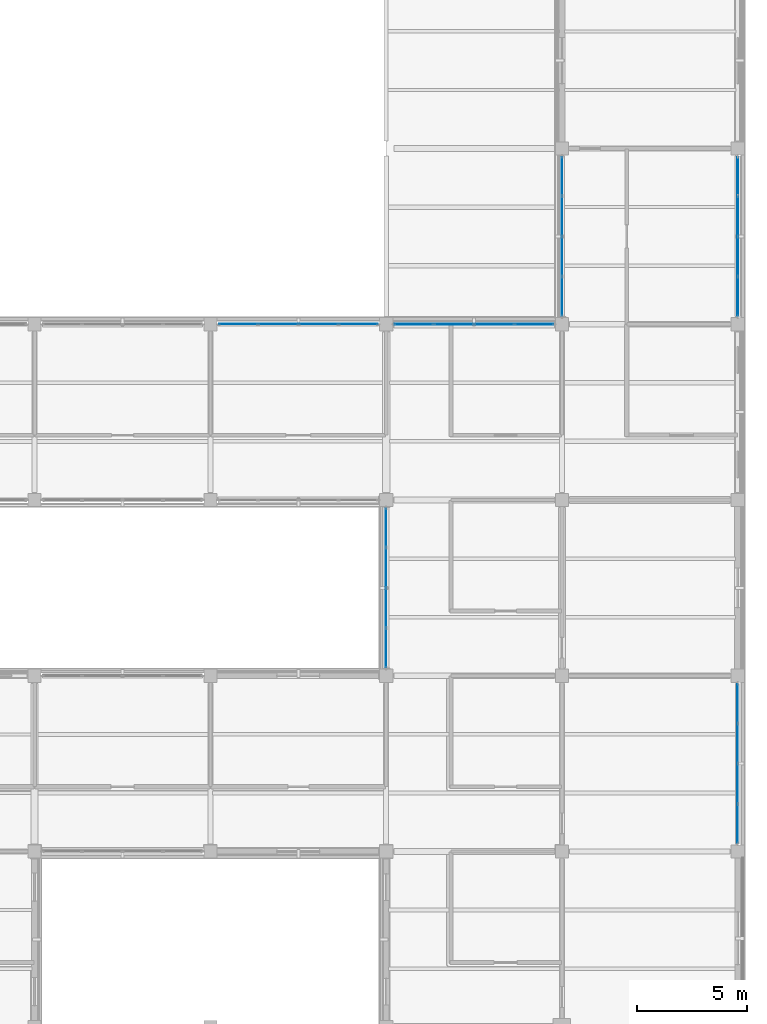
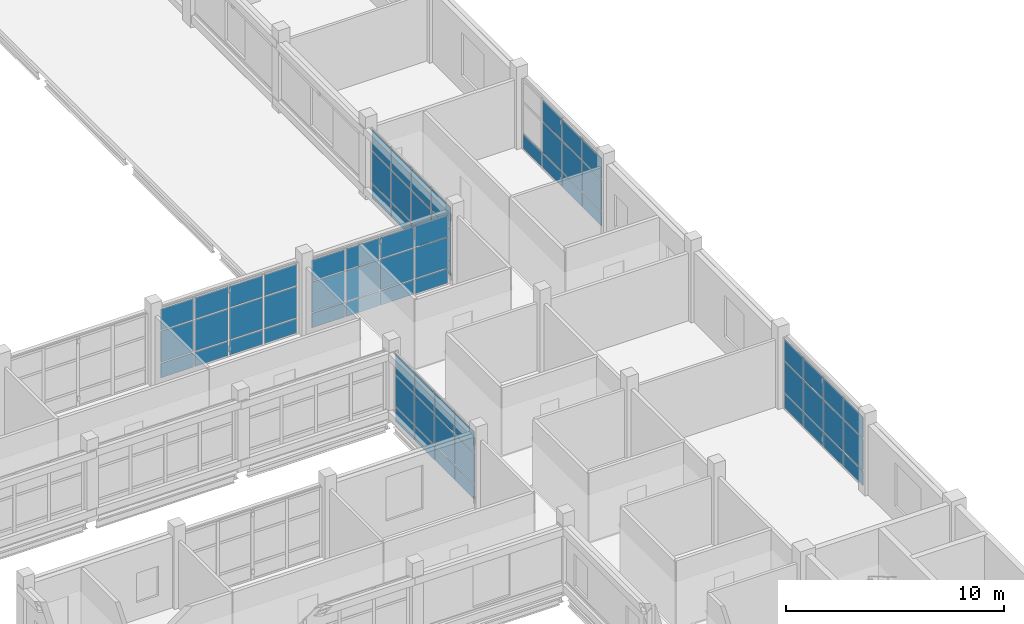
# One storey, part 71 of 121: 70 plates, 6 elements without a shape of their own.
"""IFC4 building model written with IfcOpenShell, lengths in metres."""

from ifc_helpers import new_model, si_unit, derived_unit, direction, frame, origin, origin_2d, place, context, subcontext, project, spatial, rectangle, extrude, material, layer, layer_set, type_object, element, aggregate, save


model = new_model("IFC4")

# Units and contexts
model_context = context("Model", 3, precision=1e-05, world=origin(), true_north=direction((0.0, 1.0)))
body_context = subcontext(model_context, "Body", "Model", "MODEL_VIEW")
ifc_project = project(units=[si_unit("LENGTHUNIT", "METRE"), si_unit("AREAUNIT", "SQUARE_METRE"), si_unit("VOLUMEUNIT", "CUBIC_METRE"), si_unit("PLANEANGLEUNIT", "RADIAN"), si_unit("MASSUNIT", "GRAM", prefix="KILO"), derived_unit("THERMALTRANSMITTANCEUNIT", [(si_unit("MASSUNIT", "GRAM", prefix="KILO"), 1), (si_unit("TIMEUNIT", "SECOND"), -3), (si_unit("THERMODYNAMICTEMPERATUREUNIT", "KELVIN"), -1)])], contexts=[model_context])

# Site, building, storey
site_placement = place(None, origin())
site = spatial("IfcSite", under=ifc_project, at=site_placement, CompositionType="ELEMENT")
building_placement = place(site_placement, origin())
building = spatial("IfcBuilding", under=site, at=building_placement, Name="Veyamyaing Civic Hall", CompositionType="ELEMENT")
storey_placement = place(building_placement, frame((0.0, 0.0, 5.280029296875)))
storey = spatial("IfcBuildingStorey", under=building, at=storey_placement, Name="L01", CompositionType="ELEMENT", Elevation=5.280029296875)

# Curtain wall, plates
ifc_material_1 = material(Name="Anodised aluminium 6063-T6", Category="aluminium")
ifc_layer_1 = layer(ifc_material_1, 0.159912109375, Name="Anodised aluminium 6063-T6")
ifc_layer_set_1 = layer_set([ifc_layer_1], Name="Anodised aluminium 6063-T6")
curtain_wall_type = type_object("IfcCurtainWallType", Name="CW-02", PredefinedType="NOTDEFINED", material=ifc_layer_set_1)
curtain_wall_1_placement = place(storey_placement, origin())
curtain_wall_1 = element("IfcCurtainWall", 1, at=curtain_wall_1_placement, inside=storey, type_object=curtain_wall_type, Name="Unitized curtain wall CW-02 L01 W 22.8", PredefinedType="NOTDEFINED")
ifc_material_2 = material(Name="Low-E insulated glass", Category="glass")
ifc_layer_2 = layer(ifc_material_2, 0.028076171875, Name="Low-E insulated glass")
ifc_layer_set_2 = layer_set([ifc_layer_2], Name="Low-E insulated glass")
plate_type_1 = type_object("IfcPlateType", Name="CWP-01", PredefinedType="CURTAIN_PANEL", material=ifc_layer_set_2)
plate_1_placement = place(storey_placement, frame((168.0, 57.263671875, 0.06494140625), z_axis=(0.0, 0.0, 1.0), x_axis=(0.0, 1.0, 0.0)))
plate_1 = element("IfcPlate", 2, at=plate_1_placement, type_object=plate_type_1, Name="CW-02 panel 1.1", PredefinedType="CURTAIN_PANEL", context=body_context, shape_type="SweptSolid", body=[
    extrude(rectangle(XDim=1.737548828125, YDim=0.028076171875, at=origin_2d()), origin(), (0.0, 0.0, 1.0), 0.802490234375),
])
plate_2_placement = place(storey_placement, frame((168.0, 57.263671875, 0.932373046875), z_axis=(0.0, 0.0, 1.0), x_axis=(0.0, 1.0, 0.0)))
plate_2 = element("IfcPlate", 3, at=plate_2_placement, type_object=plate_type_1, Name="CW-02 panel 1.2", PredefinedType="CURTAIN_PANEL", context=body_context, shape_type="SweptSolid", body=[
    extrude(rectangle(XDim=1.737548828125, YDim=0.028076171875, at=origin_2d()), origin(), (0.0, 0.0, 1.0), 1.7373046875),
])
plate_3_placement = place(storey_placement, frame((168.0, 57.263671875, 2.734619140625), z_axis=(0.0, 0.0, 1.0), x_axis=(0.0, 1.0, 0.0)))
plate_3 = element("IfcPlate", 4, at=plate_3_placement, type_object=plate_type_1, Name="CW-02 panel 1.3", PredefinedType="CURTAIN_PANEL", context=body_context, shape_type="SweptSolid", body=[
    extrude(rectangle(XDim=1.737548828125, YDim=0.028076171875, at=origin_2d()), origin(), (0.0, 0.0, 1.0), 1.17431640625),
])
plate_4_placement = place(storey_placement, frame((168.0, 59.08251953125, 0.06494140625), z_axis=(0.0, 0.0, 1.0), x_axis=(0.0, 1.0, 0.0)))
plate_4 = element("IfcPlate", 5, at=plate_4_placement, type_object=plate_type_1, Name="CW-02 panel 2.1", PredefinedType="CURTAIN_PANEL", context=body_context, shape_type="SweptSolid", body=[
    extrude(rectangle(XDim=1.77001953125, YDim=0.028076171875, at=origin_2d()), origin(), (0.0, 0.0, 1.0), 0.802490234375),
])
plate_5_placement = place(storey_placement, frame((168.0, 59.08251953125, 0.932373046875), z_axis=(0.0, 0.0, 1.0), x_axis=(0.0, 1.0, 0.0)))
plate_5 = element("IfcPlate", 6, at=plate_5_placement, type_object=plate_type_1, Name="CW-02 panel 2.2", PredefinedType="CURTAIN_PANEL", context=body_context, shape_type="SweptSolid", body=[
    extrude(rectangle(XDim=1.77001953125, YDim=0.028076171875, at=origin_2d()), origin(), (0.0, 0.0, 1.0), 1.7373046875),
])
plate_6_placement = place(storey_placement, frame((168.0, 59.08251953125, 2.734619140625), z_axis=(0.0, 0.0, 1.0), x_axis=(0.0, 1.0, 0.0)))
plate_6 = element("IfcPlate", 7, at=plate_6_placement, type_object=plate_type_1, Name="CW-02 panel 2.3", PredefinedType="CURTAIN_PANEL", context=body_context, shape_type="SweptSolid", body=[
    extrude(rectangle(XDim=1.77001953125, YDim=0.028076171875, at=origin_2d()), origin(), (0.0, 0.0, 1.0), 1.17431640625),
])
plate_7_placement = place(storey_placement, frame((168.0, 60.91748046875, 0.06494140625), z_axis=(0.0, 0.0, 1.0), x_axis=(0.0, 1.0, 0.0)))
plate_7 = element("IfcPlate", 8, at=plate_7_placement, type_object=plate_type_1, Name="CW-02 panel 3.1", PredefinedType="CURTAIN_PANEL", context=body_context, shape_type="SweptSolid", body=[
    extrude(rectangle(XDim=1.77001953125, YDim=0.028076171875, at=origin_2d()), origin(), (0.0, 0.0, 1.0), 0.802490234375),
])
plate_8_placement = place(storey_placement, frame((168.0, 60.91748046875, 0.932373046875), z_axis=(0.0, 0.0, 1.0), x_axis=(0.0, 1.0, 0.0)))
plate_8 = element("IfcPlate", 9, at=plate_8_placement, type_object=plate_type_1, Name="CW-02 panel 3.2", PredefinedType="CURTAIN_PANEL", context=body_context, shape_type="SweptSolid", body=[
    extrude(rectangle(XDim=1.77001953125, YDim=0.028076171875, at=origin_2d()), origin(), (0.0, 0.0, 1.0), 1.7373046875),
])
plate_9_placement = place(storey_placement, frame((168.0, 60.91748046875, 2.734619140625), z_axis=(0.0, 0.0, 1.0), x_axis=(0.0, 1.0, 0.0)))
plate_9 = element("IfcPlate", 10, at=plate_9_placement, type_object=plate_type_1, Name="CW-02 panel 3.3", PredefinedType="CURTAIN_PANEL", context=body_context, shape_type="SweptSolid", body=[
    extrude(rectangle(XDim=1.77001953125, YDim=0.028076171875, at=origin_2d()), origin(), (0.0, 0.0, 1.0), 1.17431640625),
])
plate_10_placement = place(storey_placement, frame((168.0, 62.736328125, 0.06494140625), z_axis=(0.0, 0.0, 1.0), x_axis=(0.0, 1.0, 0.0)))
plate_10 = element("IfcPlate", 11, at=plate_10_placement, type_object=plate_type_1, Name="CW-02 panel 4.1", PredefinedType="CURTAIN_PANEL", context=body_context, shape_type="SweptSolid", body=[
    extrude(rectangle(XDim=1.737548828125, YDim=0.028076171875, at=origin_2d()), origin(), (0.0, 0.0, 1.0), 0.802490234375),
])
plate_11_placement = place(storey_placement, frame((168.0, 62.736328125, 0.932373046875), z_axis=(0.0, 0.0, 1.0), x_axis=(0.0, 1.0, 0.0)))
plate_11 = element("IfcPlate", 12, at=plate_11_placement, type_object=plate_type_1, Name="CW-02 panel 4.2", PredefinedType="CURTAIN_PANEL", context=body_context, shape_type="SweptSolid", body=[
    extrude(rectangle(XDim=1.737548828125, YDim=0.028076171875, at=origin_2d()), origin(), (0.0, 0.0, 1.0), 1.7373046875),
])
plate_12_placement = place(storey_placement, frame((168.0, 62.736328125, 2.734619140625), z_axis=(0.0, 0.0, 1.0), x_axis=(0.0, 1.0, 0.0)))
plate_12 = element("IfcPlate", 13, at=plate_12_placement, type_object=plate_type_1, Name="CW-02 panel 4.3", PredefinedType="CURTAIN_PANEL", context=body_context, shape_type="SweptSolid", body=[
    extrude(rectangle(XDim=1.737548828125, YDim=0.028076171875, at=origin_2d()), origin(), (0.0, 0.0, 1.0), 1.17431640625),
])
aggregate(curtain_wall_1, [plate_1, plate_2, plate_3, plate_4, plate_5, plate_6, plate_7, plate_8, plate_9, plate_10, plate_11, plate_12])

curtain_wall_2_placement = place(storey_placement, origin())
curtain_wall_2 = element("IfcCurtainWall", 14, at=curtain_wall_2_placement, inside=storey, type_object=curtain_wall_type, Name="Unitized curtain wall CW-02 L01 E 22.8", PredefinedType="NOTDEFINED")
plate_13_placement = place(storey_placement, frame((176.0, 57.263671875, 0.06494140625), z_axis=(0.0, 0.0, 1.0), x_axis=(0.0, 1.0, 0.0)))
plate_13 = element("IfcPlate", 15, at=plate_13_placement, type_object=plate_type_1, Name="CW-02 panel 1.1", PredefinedType="CURTAIN_PANEL", context=body_context, shape_type="SweptSolid", body=[
    extrude(rectangle(XDim=1.737548828125, YDim=0.028076171875, at=origin_2d()), origin(), (0.0, 0.0, 1.0), 0.802490234375),
])
plate_14_placement = place(storey_placement, frame((176.0, 57.263671875, 0.9326171875), z_axis=(0.0, 0.0, 1.0), x_axis=(0.0, 1.0, 0.0)))
plate_14 = element("IfcPlate", 16, at=plate_14_placement, type_object=plate_type_1, Name="CW-02 panel 1.2", PredefinedType="CURTAIN_PANEL", context=body_context, shape_type="SweptSolid", body=[
    extrude(rectangle(XDim=1.737548828125, YDim=0.028076171875, at=origin_2d()), origin(), (0.0, 0.0, 1.0), 1.696533203125),
])
plate_15_placement = place(storey_placement, frame((176.0, 57.263671875, 2.69384765625), z_axis=(0.0, 0.0, 1.0), x_axis=(0.0, 1.0, 0.0)))
plate_15 = element("IfcPlate", 17, at=plate_15_placement, type_object=plate_type_1, Name="CW-02 panel 1.3", PredefinedType="CURTAIN_PANEL", context=body_context, shape_type="SweptSolid", body=[
    extrude(rectangle(XDim=1.737548828125, YDim=0.028076171875, at=origin_2d()), origin(), (0.0, 0.0, 1.0), 1.155029296875),
])
plate_16_placement = place(storey_placement, frame((176.0, 59.08251953125, 0.06494140625), z_axis=(0.0, 0.0, 1.0), x_axis=(0.0, 1.0, 0.0)))
plate_16 = element("IfcPlate", 18, at=plate_16_placement, type_object=plate_type_1, Name="CW-02 panel 2.1", PredefinedType="CURTAIN_PANEL", context=body_context, shape_type="SweptSolid", body=[
    extrude(rectangle(XDim=1.77001953125, YDim=0.028076171875, at=origin_2d()), origin(), (0.0, 0.0, 1.0), 0.802490234375),
])
plate_17_placement = place(storey_placement, frame((176.0, 59.08251953125, 0.9326171875), z_axis=(0.0, 0.0, 1.0), x_axis=(0.0, 1.0, 0.0)))
plate_17 = element("IfcPlate", 19, at=plate_17_placement, type_object=plate_type_1, Name="CW-02 panel 2.2", PredefinedType="CURTAIN_PANEL", context=body_context, shape_type="SweptSolid", body=[
    extrude(rectangle(XDim=1.77001953125, YDim=0.028076171875, at=origin_2d()), origin(), (0.0, 0.0, 1.0), 1.696533203125),
])
plate_18_placement = place(storey_placement, frame((176.0, 59.08251953125, 2.69384765625), z_axis=(0.0, 0.0, 1.0), x_axis=(0.0, 1.0, 0.0)))
plate_18 = element("IfcPlate", 20, at=plate_18_placement, type_object=plate_type_1, Name="CW-02 panel 2.3", PredefinedType="CURTAIN_PANEL", context=body_context, shape_type="SweptSolid", body=[
    extrude(rectangle(XDim=1.77001953125, YDim=0.028076171875, at=origin_2d()), origin(), (0.0, 0.0, 1.0), 1.155029296875),
])
plate_19_placement = place(storey_placement, frame((176.0, 60.91748046875, 0.06494140625), z_axis=(0.0, 0.0, 1.0), x_axis=(0.0, 1.0, 0.0)))
plate_19 = element("IfcPlate", 21, at=plate_19_placement, type_object=plate_type_1, Name="CW-02 panel 3.1", PredefinedType="CURTAIN_PANEL", context=body_context, shape_type="SweptSolid", body=[
    extrude(rectangle(XDim=1.77001953125, YDim=0.028076171875, at=origin_2d()), origin(), (0.0, 0.0, 1.0), 0.802490234375),
])
plate_20_placement = place(storey_placement, frame((176.0, 60.91748046875, 0.9326171875), z_axis=(0.0, 0.0, 1.0), x_axis=(0.0, 1.0, 0.0)))
plate_20 = element("IfcPlate", 22, at=plate_20_placement, type_object=plate_type_1, Name="CW-02 panel 3.2", PredefinedType="CURTAIN_PANEL", context=body_context, shape_type="SweptSolid", body=[
    extrude(rectangle(XDim=1.77001953125, YDim=0.028076171875, at=origin_2d()), origin(), (0.0, 0.0, 1.0), 1.696533203125),
])
plate_21_placement = place(storey_placement, frame((176.0, 60.91748046875, 2.69384765625), z_axis=(0.0, 0.0, 1.0), x_axis=(0.0, 1.0, 0.0)))
plate_21 = element("IfcPlate", 23, at=plate_21_placement, type_object=plate_type_1, Name="CW-02 panel 3.3", PredefinedType="CURTAIN_PANEL", context=body_context, shape_type="SweptSolid", body=[
    extrude(rectangle(XDim=1.77001953125, YDim=0.028076171875, at=origin_2d()), origin(), (0.0, 0.0, 1.0), 1.155029296875),
])
plate_22_placement = place(storey_placement, frame((176.0, 62.736328125, 0.06494140625), z_axis=(0.0, 0.0, 1.0), x_axis=(0.0, 1.0, 0.0)))
plate_22 = element("IfcPlate", 24, at=plate_22_placement, type_object=plate_type_1, Name="CW-02 panel 4.1", PredefinedType="CURTAIN_PANEL", context=body_context, shape_type="SweptSolid", body=[
    extrude(rectangle(XDim=1.737548828125, YDim=0.028076171875, at=origin_2d()), origin(), (0.0, 0.0, 1.0), 0.802490234375),
])
aggregate(curtain_wall_2, [plate_13, plate_14, plate_15, plate_16, plate_17, plate_18, plate_19, plate_20, plate_21, plate_22])

curtain_wall_3_placement = place(storey_placement, origin())
curtain_wall_3 = element("IfcCurtainWall", 25, at=curtain_wall_3_placement, inside=storey, type_object=curtain_wall_type, Name="Unitized curtain wall CW-02 L01 N 20.7", PredefinedType="NOTDEFINED")
ifc_layer_3 = layer(ifc_material_2, 0.02392578125, Name="Low-E insulated glass")
ifc_layer_set_3 = layer_set([ifc_layer_3], Name="Low-E insulated glass")
plate_type_2 = type_object("IfcPlateType", Name="CWP-04", PredefinedType="CURTAIN_PANEL", material=ifc_layer_set_3)
plate_23_placement = place(storey_placement, frame((153.263671875, 56.0, 0.06494140625), z_axis=(0.0, 0.0, 1.0), x_axis=(1.0, 0.0, 0.0)))
plate_23 = element("IfcPlate", 26, at=plate_23_placement, type_object=plate_type_2, Name="CW-02 panel 1.1", PredefinedType="CURTAIN_PANEL", context=body_context, shape_type="SweptSolid", body=[
    extrude(rectangle(XDim=1.737548828125, YDim=0.02392578125, at=origin_2d()), origin(), (0.0, 0.0, 1.0), 0.802490234375),
])
plate_24_placement = place(storey_placement, frame((153.263671875, 56.0, 0.9326171875), z_axis=(0.0, 0.0, 1.0), x_axis=(1.0, 0.0, 0.0)))
plate_24 = element("IfcPlate", 27, at=plate_24_placement, type_object=plate_type_2, Name="CW-02 panel 1.2", PredefinedType="CURTAIN_PANEL", context=body_context, shape_type="SweptSolid", body=[
    extrude(rectangle(XDim=1.737548828125, YDim=0.02392578125, at=origin_2d()), origin(), (0.0, 0.0, 1.0), 1.739501953125),
])
plate_25_placement = place(storey_placement, frame((153.263671875, 56.0, 2.73681640625), z_axis=(0.0, 0.0, 1.0), x_axis=(1.0, 0.0, 0.0)))
plate_25 = element("IfcPlate", 28, at=plate_25_placement, type_object=plate_type_2, Name="CW-02 panel 1.3", PredefinedType="CURTAIN_PANEL", context=body_context, shape_type="SweptSolid", body=[
    extrude(rectangle(XDim=1.737548828125, YDim=0.02392578125, at=origin_2d()), origin(), (0.0, 0.0, 1.0), 1.175048828125),
])
plate_26_placement = place(storey_placement, frame((155.08251953125, 56.0, 0.06494140625), z_axis=(0.0, 0.0, 1.0), x_axis=(1.0, 0.0, 0.0)))
plate_26 = element("IfcPlate", 29, at=plate_26_placement, type_object=plate_type_2, Name="CW-02 panel 2.1", PredefinedType="CURTAIN_PANEL", context=body_context, shape_type="SweptSolid", body=[
    extrude(rectangle(XDim=1.77001953125, YDim=0.02392578125, at=origin_2d()), origin(), (0.0, 0.0, 1.0), 0.802490234375),
])
plate_27_placement = place(storey_placement, frame((155.08251953125, 56.0, 0.9326171875), z_axis=(0.0, 0.0, 1.0), x_axis=(1.0, 0.0, 0.0)))
plate_27 = element("IfcPlate", 30, at=plate_27_placement, type_object=plate_type_2, Name="CW-02 panel 2.2", PredefinedType="CURTAIN_PANEL", context=body_context, shape_type="SweptSolid", body=[
    extrude(rectangle(XDim=1.77001953125, YDim=0.02392578125, at=origin_2d()), origin(), (0.0, 0.0, 1.0), 1.739501953125),
])
plate_28_placement = place(storey_placement, frame((155.08251953125, 56.0, 2.73681640625), z_axis=(0.0, 0.0, 1.0), x_axis=(1.0, 0.0, 0.0)))
plate_28 = element("IfcPlate", 31, at=plate_28_placement, type_object=plate_type_2, Name="CW-02 panel 2.3", PredefinedType="CURTAIN_PANEL", context=body_context, shape_type="SweptSolid", body=[
    extrude(rectangle(XDim=1.77001953125, YDim=0.02392578125, at=origin_2d()), origin(), (0.0, 0.0, 1.0), 1.175048828125),
])
plate_29_placement = place(storey_placement, frame((156.91748046875, 56.0, 0.06494140625), z_axis=(0.0, 0.0, 1.0), x_axis=(1.0, 0.0, 0.0)))
plate_29 = element("IfcPlate", 32, at=plate_29_placement, type_object=plate_type_2, Name="CW-02 panel 3.1", PredefinedType="CURTAIN_PANEL", context=body_context, shape_type="SweptSolid", body=[
    extrude(rectangle(XDim=1.77001953125, YDim=0.02392578125, at=origin_2d()), origin(), (0.0, 0.0, 1.0), 0.802490234375),
])
plate_30_placement = place(storey_placement, frame((156.91748046875, 56.0, 0.9326171875), z_axis=(0.0, 0.0, 1.0), x_axis=(1.0, 0.0, 0.0)))
plate_30 = element("IfcPlate", 33, at=plate_30_placement, type_object=plate_type_2, Name="CW-02 panel 3.2", PredefinedType="CURTAIN_PANEL", context=body_context, shape_type="SweptSolid", body=[
    extrude(rectangle(XDim=1.77001953125, YDim=0.02392578125, at=origin_2d()), origin(), (0.0, 0.0, 1.0), 1.739501953125),
])
plate_31_placement = place(storey_placement, frame((156.91748046875, 56.0, 2.73681640625), z_axis=(0.0, 0.0, 1.0), x_axis=(1.0, 0.0, 0.0)))
plate_31 = element("IfcPlate", 34, at=plate_31_placement, type_object=plate_type_2, Name="CW-02 panel 3.3", PredefinedType="CURTAIN_PANEL", context=body_context, shape_type="SweptSolid", body=[
    extrude(rectangle(XDim=1.77001953125, YDim=0.02392578125, at=origin_2d()), origin(), (0.0, 0.0, 1.0), 1.175048828125),
])
plate_32_placement = place(storey_placement, frame((158.736328125, 56.0, 0.06494140625), z_axis=(0.0, 0.0, 1.0), x_axis=(1.0, 0.0, 0.0)))
plate_32 = element("IfcPlate", 35, at=plate_32_placement, type_object=plate_type_2, Name="CW-02 panel 4.1", PredefinedType="CURTAIN_PANEL", context=body_context, shape_type="SweptSolid", body=[
    extrude(rectangle(XDim=1.737548828125, YDim=0.02392578125, at=origin_2d()), origin(), (0.0, 0.0, 1.0), 0.802490234375),
])
plate_33_placement = place(storey_placement, frame((158.736328125, 56.0, 0.9326171875), z_axis=(0.0, 0.0, 1.0), x_axis=(1.0, 0.0, 0.0)))
plate_33 = element("IfcPlate", 36, at=plate_33_placement, type_object=plate_type_2, Name="CW-02 panel 4.2", PredefinedType="CURTAIN_PANEL", context=body_context, shape_type="SweptSolid", body=[
    extrude(rectangle(XDim=1.737548828125, YDim=0.02392578125, at=origin_2d()), origin(), (0.0, 0.0, 1.0), 1.739501953125),
])
plate_34_placement = place(storey_placement, frame((158.736328125, 56.0, 2.73681640625), z_axis=(0.0, 0.0, 1.0), x_axis=(1.0, 0.0, 0.0)))
plate_34 = element("IfcPlate", 37, at=plate_34_placement, type_object=plate_type_2, Name="CW-02 panel 4.3", PredefinedType="CURTAIN_PANEL", context=body_context, shape_type="SweptSolid", body=[
    extrude(rectangle(XDim=1.737548828125, YDim=0.02392578125, at=origin_2d()), origin(), (0.0, 0.0, 1.0), 1.175048828125),
])
aggregate(curtain_wall_3, [plate_23, plate_24, plate_25, plate_26, plate_27, plate_28, plate_29, plate_30, plate_31, plate_32, plate_33, plate_34])

curtain_wall_4_placement = place(storey_placement, origin())
curtain_wall_4 = element("IfcCurtainWall", 38, at=curtain_wall_4_placement, inside=storey, type_object=curtain_wall_type, Name="Unitized curtain wall CW-02 L01 W 21.6", PredefinedType="NOTDEFINED")
plate_35_placement = place(storey_placement, frame((160.0, 41.263671875, 0.06494140625), z_axis=(0.0, 0.0, 1.0), x_axis=(0.0, 1.0, 0.0)))
plate_35 = element("IfcPlate", 39, at=plate_35_placement, type_object=plate_type_2, Name="CW-02 panel 1.1", PredefinedType="CURTAIN_PANEL", context=body_context, shape_type="SweptSolid", body=[
    extrude(rectangle(XDim=1.737548828125, YDim=0.02392578125, at=origin_2d()), origin(), (0.0, 0.0, 1.0), 0.802490234375),
])
plate_36_placement = place(storey_placement, frame((160.0, 41.263671875, 0.9326171875), z_axis=(0.0, 0.0, 1.0), x_axis=(0.0, 1.0, 0.0)))
plate_36 = element("IfcPlate", 40, at=plate_36_placement, type_object=plate_type_2, Name="CW-02 panel 1.2", PredefinedType="CURTAIN_PANEL", context=body_context, shape_type="SweptSolid", body=[
    extrude(rectangle(XDim=1.737548828125, YDim=0.02392578125, at=origin_2d()), origin(), (0.0, 0.0, 1.0), 1.696533203125),
])
plate_37_placement = place(storey_placement, frame((160.0, 41.263671875, 2.69384765625), z_axis=(0.0, 0.0, 1.0), x_axis=(0.0, 1.0, 0.0)))
plate_37 = element("IfcPlate", 41, at=plate_37_placement, type_object=plate_type_2, Name="CW-02 panel 1.3", PredefinedType="CURTAIN_PANEL", context=body_context, shape_type="SweptSolid", body=[
    extrude(rectangle(XDim=1.737548828125, YDim=0.02392578125, at=origin_2d()), origin(), (0.0, 0.0, 1.0), 1.155029296875),
])
plate_38_placement = place(storey_placement, frame((160.0, 43.08251953125, 0.06494140625), z_axis=(0.0, 0.0, 1.0), x_axis=(0.0, 1.0, 0.0)))
plate_38 = element("IfcPlate", 42, at=plate_38_placement, type_object=plate_type_2, Name="CW-02 panel 2.1", PredefinedType="CURTAIN_PANEL", context=body_context, shape_type="SweptSolid", body=[
    extrude(rectangle(XDim=1.77001953125, YDim=0.02392578125, at=origin_2d()), origin(), (0.0, 0.0, 1.0), 0.802490234375),
])
plate_39_placement = place(storey_placement, frame((160.0, 43.08251953125, 0.9326171875), z_axis=(0.0, 0.0, 1.0), x_axis=(0.0, 1.0, 0.0)))
plate_39 = element("IfcPlate", 43, at=plate_39_placement, type_object=plate_type_2, Name="CW-02 panel 2.2", PredefinedType="CURTAIN_PANEL", context=body_context, shape_type="SweptSolid", body=[
    extrude(rectangle(XDim=1.77001953125, YDim=0.02392578125, at=origin_2d()), origin(), (0.0, 0.0, 1.0), 1.696533203125),
])
plate_40_placement = place(storey_placement, frame((160.0, 43.08251953125, 2.69384765625), z_axis=(0.0, 0.0, 1.0), x_axis=(0.0, 1.0, 0.0)))
plate_40 = element("IfcPlate", 44, at=plate_40_placement, type_object=plate_type_2, Name="CW-02 panel 2.3", PredefinedType="CURTAIN_PANEL", context=body_context, shape_type="SweptSolid", body=[
    extrude(rectangle(XDim=1.77001953125, YDim=0.02392578125, at=origin_2d()), origin(), (0.0, 0.0, 1.0), 1.155029296875),
])
plate_41_placement = place(storey_placement, frame((160.0, 44.91748046875, 0.06494140625), z_axis=(0.0, 0.0, 1.0), x_axis=(0.0, 1.0, 0.0)))
plate_41 = element("IfcPlate", 45, at=plate_41_placement, type_object=plate_type_2, Name="CW-02 panel 3.1", PredefinedType="CURTAIN_PANEL", context=body_context, shape_type="SweptSolid", body=[
    extrude(rectangle(XDim=1.77001953125, YDim=0.02392578125, at=origin_2d()), origin(), (0.0, 0.0, 1.0), 0.802490234375),
])
plate_42_placement = place(storey_placement, frame((160.0, 44.91748046875, 0.9326171875), z_axis=(0.0, 0.0, 1.0), x_axis=(0.0, 1.0, 0.0)))
plate_42 = element("IfcPlate", 46, at=plate_42_placement, type_object=plate_type_2, Name="CW-02 panel 3.2", PredefinedType="CURTAIN_PANEL", context=body_context, shape_type="SweptSolid", body=[
    extrude(rectangle(XDim=1.77001953125, YDim=0.02392578125, at=origin_2d()), origin(), (0.0, 0.0, 1.0), 1.696533203125),
])
plate_43_placement = place(storey_placement, frame((160.0, 44.91748046875, 2.69384765625), z_axis=(0.0, 0.0, 1.0), x_axis=(0.0, 1.0, 0.0)))
plate_43 = element("IfcPlate", 47, at=plate_43_placement, type_object=plate_type_2, Name="CW-02 panel 3.3", PredefinedType="CURTAIN_PANEL", context=body_context, shape_type="SweptSolid", body=[
    extrude(rectangle(XDim=1.77001953125, YDim=0.02392578125, at=origin_2d()), origin(), (0.0, 0.0, 1.0), 1.155029296875),
])
plate_44_placement = place(storey_placement, frame((160.0, 46.736328125, 0.06494140625), z_axis=(0.0, 0.0, 1.0), x_axis=(0.0, 1.0, 0.0)))
plate_44 = element("IfcPlate", 48, at=plate_44_placement, type_object=plate_type_2, Name="CW-02 panel 4.1", PredefinedType="CURTAIN_PANEL", context=body_context, shape_type="SweptSolid", body=[
    extrude(rectangle(XDim=1.737548828125, YDim=0.02392578125, at=origin_2d()), origin(), (0.0, 0.0, 1.0), 0.802490234375),
])
plate_45_placement = place(storey_placement, frame((160.0, 46.736328125, 0.9326171875), z_axis=(0.0, 0.0, 1.0), x_axis=(0.0, 1.0, 0.0)))
plate_45 = element("IfcPlate", 49, at=plate_45_placement, type_object=plate_type_2, Name="CW-02 panel 4.2", PredefinedType="CURTAIN_PANEL", context=body_context, shape_type="SweptSolid", body=[
    extrude(rectangle(XDim=1.737548828125, YDim=0.02392578125, at=origin_2d()), origin(), (0.0, 0.0, 1.0), 1.696533203125),
])
plate_46_placement = place(storey_placement, frame((160.0, 46.736328125, 2.69384765625), z_axis=(0.0, 0.0, 1.0), x_axis=(0.0, 1.0, 0.0)))
plate_46 = element("IfcPlate", 50, at=plate_46_placement, type_object=plate_type_2, Name="CW-02 panel 4.3", PredefinedType="CURTAIN_PANEL", context=body_context, shape_type="SweptSolid", body=[
    extrude(rectangle(XDim=1.737548828125, YDim=0.02392578125, at=origin_2d()), origin(), (0.0, 0.0, 1.0), 1.155029296875),
])
aggregate(curtain_wall_4, [plate_35, plate_36, plate_37, plate_38, plate_39, plate_40, plate_41, plate_42, plate_43, plate_44, plate_45, plate_46])

curtain_wall_5_placement = place(storey_placement, origin())
curtain_wall_5 = element("IfcCurtainWall", 51, at=curtain_wall_5_placement, inside=storey, type_object=curtain_wall_type, Name="Unitized curtain wall CW-02 L01 E 22.5", PredefinedType="NOTDEFINED")
plate_47_placement = place(storey_placement, frame((176.0, 33.263671875, 0.06494140625), z_axis=(0.0, 0.0, 1.0), x_axis=(0.0, 1.0, 0.0)))
plate_47 = element("IfcPlate", 52, at=plate_47_placement, type_object=plate_type_2, Name="CW-02 panel 1.1", PredefinedType="CURTAIN_PANEL", context=body_context, shape_type="SweptSolid", body=[
    extrude(rectangle(XDim=1.737548828125, YDim=0.02392578125, at=origin_2d()), origin(), (0.0, 0.0, 1.0), 0.802490234375),
])
plate_48_placement = place(storey_placement, frame((176.0, 33.263671875, 0.9326171875), z_axis=(0.0, 0.0, 1.0), x_axis=(0.0, 1.0, 0.0)))
plate_48 = element("IfcPlate", 53, at=plate_48_placement, type_object=plate_type_2, Name="CW-02 panel 1.2", PredefinedType="CURTAIN_PANEL", context=body_context, shape_type="SweptSolid", body=[
    extrude(rectangle(XDim=1.737548828125, YDim=0.02392578125, at=origin_2d()), origin(), (0.0, 0.0, 1.0), 1.739501953125),
])
plate_49_placement = place(storey_placement, frame((176.0, 33.263671875, 2.73681640625), z_axis=(0.0, 0.0, 1.0), x_axis=(0.0, 1.0, 0.0)))
plate_49 = element("IfcPlate", 54, at=plate_49_placement, type_object=plate_type_2, Name="CW-02 panel 1.3", PredefinedType="CURTAIN_PANEL", context=body_context, shape_type="SweptSolid", body=[
    extrude(rectangle(XDim=1.737548828125, YDim=0.02392578125, at=origin_2d()), origin(), (0.0, 0.0, 1.0), 1.175048828125),
])
plate_50_placement = place(storey_placement, frame((176.0, 35.08251953125, 0.06494140625), z_axis=(0.0, 0.0, 1.0), x_axis=(0.0, 1.0, 0.0)))
plate_50 = element("IfcPlate", 55, at=plate_50_placement, type_object=plate_type_2, Name="CW-02 panel 2.1", PredefinedType="CURTAIN_PANEL", context=body_context, shape_type="SweptSolid", body=[
    extrude(rectangle(XDim=1.77001953125, YDim=0.02392578125, at=origin_2d()), origin(), (0.0, 0.0, 1.0), 0.802490234375),
])
plate_51_placement = place(storey_placement, frame((176.0, 35.08251953125, 0.9326171875), z_axis=(0.0, 0.0, 1.0), x_axis=(0.0, 1.0, 0.0)))
plate_51 = element("IfcPlate", 56, at=plate_51_placement, type_object=plate_type_2, Name="CW-02 panel 2.2", PredefinedType="CURTAIN_PANEL", context=body_context, shape_type="SweptSolid", body=[
    extrude(rectangle(XDim=1.77001953125, YDim=0.02392578125, at=origin_2d()), origin(), (0.0, 0.0, 1.0), 1.739501953125),
])
plate_52_placement = place(storey_placement, frame((176.0, 35.08251953125, 2.73681640625), z_axis=(0.0, 0.0, 1.0), x_axis=(0.0, 1.0, 0.0)))
plate_52 = element("IfcPlate", 57, at=plate_52_placement, type_object=plate_type_2, Name="CW-02 panel 2.3", PredefinedType="CURTAIN_PANEL", context=body_context, shape_type="SweptSolid", body=[
    extrude(rectangle(XDim=1.77001953125, YDim=0.02392578125, at=origin_2d()), origin(), (0.0, 0.0, 1.0), 1.175048828125),
])
plate_53_placement = place(storey_placement, frame((176.0, 36.91748046875, 0.06494140625), z_axis=(0.0, 0.0, 1.0), x_axis=(0.0, 1.0, 0.0)))
plate_53 = element("IfcPlate", 58, at=plate_53_placement, type_object=plate_type_2, Name="CW-02 panel 3.1", PredefinedType="CURTAIN_PANEL", context=body_context, shape_type="SweptSolid", body=[
    extrude(rectangle(XDim=1.77001953125, YDim=0.02392578125, at=origin_2d()), origin(), (0.0, 0.0, 1.0), 0.802490234375),
])
plate_54_placement = place(storey_placement, frame((176.0, 36.91748046875, 0.9326171875), z_axis=(0.0, 0.0, 1.0), x_axis=(0.0, 1.0, 0.0)))
plate_54 = element("IfcPlate", 59, at=plate_54_placement, type_object=plate_type_2, Name="CW-02 panel 3.2", PredefinedType="CURTAIN_PANEL", context=body_context, shape_type="SweptSolid", body=[
    extrude(rectangle(XDim=1.77001953125, YDim=0.02392578125, at=origin_2d()), origin(), (0.0, 0.0, 1.0), 1.739501953125),
])
plate_55_placement = place(storey_placement, frame((176.0, 36.91748046875, 2.73681640625), z_axis=(0.0, 0.0, 1.0), x_axis=(0.0, 1.0, 0.0)))
plate_55 = element("IfcPlate", 60, at=plate_55_placement, type_object=plate_type_2, Name="CW-02 panel 3.3", PredefinedType="CURTAIN_PANEL", context=body_context, shape_type="SweptSolid", body=[
    extrude(rectangle(XDim=1.77001953125, YDim=0.02392578125, at=origin_2d()), origin(), (0.0, 0.0, 1.0), 1.175048828125),
])
plate_56_placement = place(storey_placement, frame((176.0, 38.736328125, 0.06494140625), z_axis=(0.0, 0.0, 1.0), x_axis=(0.0, 1.0, 0.0)))
plate_56 = element("IfcPlate", 61, at=plate_56_placement, type_object=plate_type_2, Name="CW-02 panel 4.1", PredefinedType="CURTAIN_PANEL", context=body_context, shape_type="SweptSolid", body=[
    extrude(rectangle(XDim=1.737548828125, YDim=0.02392578125, at=origin_2d()), origin(), (0.0, 0.0, 1.0), 0.802490234375),
])
plate_57_placement = place(storey_placement, frame((176.0, 38.736328125, 0.9326171875), z_axis=(0.0, 0.0, 1.0), x_axis=(0.0, 1.0, 0.0)))
plate_57 = element("IfcPlate", 62, at=plate_57_placement, type_object=plate_type_2, Name="CW-02 panel 4.2", PredefinedType="CURTAIN_PANEL", context=body_context, shape_type="SweptSolid", body=[
    extrude(rectangle(XDim=1.737548828125, YDim=0.02392578125, at=origin_2d()), origin(), (0.0, 0.0, 1.0), 1.739501953125),
])
plate_58_placement = place(storey_placement, frame((176.0, 38.736328125, 2.73681640625), z_axis=(0.0, 0.0, 1.0), x_axis=(0.0, 1.0, 0.0)))
plate_58 = element("IfcPlate", 63, at=plate_58_placement, type_object=plate_type_2, Name="CW-02 panel 4.3", PredefinedType="CURTAIN_PANEL", context=body_context, shape_type="SweptSolid", body=[
    extrude(rectangle(XDim=1.737548828125, YDim=0.02392578125, at=origin_2d()), origin(), (0.0, 0.0, 1.0), 1.175048828125),
])
aggregate(curtain_wall_5, [plate_47, plate_48, plate_49, plate_50, plate_51, plate_52, plate_53, plate_54, plate_55, plate_56, plate_57, plate_58])

curtain_wall_6_placement = place(storey_placement, origin())
curtain_wall_6 = element("IfcCurtainWall", 64, at=curtain_wall_6_placement, inside=storey, type_object=curtain_wall_type, Name="Unitized curtain wall CW-02 L01 N 21.7", PredefinedType="NOTDEFINED")
ifc_layer_4 = layer(ifc_material_2, 0.0400390625, Name="Low-E insulated glass")
ifc_layer_set_4 = layer_set([ifc_layer_4], Name="Low-E insulated glass")
plate_type_3 = type_object("IfcPlateType", Name="CWP-05", PredefinedType="CURTAIN_PANEL", material=ifc_layer_set_4)
plate_59_placement = place(storey_placement, frame((161.263671875, 56.0, 0.06494140625), z_axis=(0.0, 0.0, 1.0), x_axis=(1.0, 0.0, 0.0)))
plate_59 = element("IfcPlate", 65, at=plate_59_placement, type_object=plate_type_3, Name="CW-02 panel 1.1", PredefinedType="CURTAIN_PANEL", context=body_context, shape_type="SweptSolid", body=[
    extrude(rectangle(XDim=1.737548828125, YDim=0.0400390625, at=origin_2d()), origin(), (0.0, 0.0, 1.0), 0.802490234375),
])
plate_60_placement = place(storey_placement, frame((161.263671875, 56.0, 0.932373046875), z_axis=(0.0, 0.0, 1.0), x_axis=(1.0, 0.0, 0.0)))
plate_60 = element("IfcPlate", 66, at=plate_60_placement, type_object=plate_type_3, Name="CW-02 panel 1.2", PredefinedType="CURTAIN_PANEL", context=body_context, shape_type="SweptSolid", body=[
    extrude(rectangle(XDim=1.737548828125, YDim=0.0400390625, at=origin_2d()), origin(), (0.0, 0.0, 1.0), 1.69384765625),
])
plate_61_placement = place(storey_placement, frame((161.263671875, 56.0, 2.691162109375), z_axis=(0.0, 0.0, 1.0), x_axis=(1.0, 0.0, 0.0)))
plate_61 = element("IfcPlate", 67, at=plate_61_placement, type_object=plate_type_3, Name="CW-02 panel 1.3", PredefinedType="CURTAIN_PANEL", context=body_context, shape_type="SweptSolid", body=[
    extrude(rectangle(XDim=1.737548828125, YDim=0.0400390625, at=origin_2d()), origin(), (0.0, 0.0, 1.0), 1.15380859375),
])
plate_62_placement = place(storey_placement, frame((163.08251953125, 56.0, 0.06494140625), z_axis=(0.0, 0.0, 1.0), x_axis=(1.0, 0.0, 0.0)))
plate_62 = element("IfcPlate", 68, at=plate_62_placement, type_object=plate_type_3, Name="CW-02 panel 2.1", PredefinedType="CURTAIN_PANEL", context=body_context, shape_type="SweptSolid", body=[
    extrude(rectangle(XDim=1.77001953125, YDim=0.0400390625, at=origin_2d()), origin(), (0.0, 0.0, 1.0), 0.802490234375),
])
plate_63_placement = place(storey_placement, frame((163.08251953125, 56.0, 0.932373046875), z_axis=(0.0, 0.0, 1.0), x_axis=(1.0, 0.0, 0.0)))
plate_63 = element("IfcPlate", 69, at=plate_63_placement, type_object=plate_type_3, Name="CW-02 panel 2.2", PredefinedType="CURTAIN_PANEL", context=body_context, shape_type="SweptSolid", body=[
    extrude(rectangle(XDim=1.77001953125, YDim=0.0400390625, at=origin_2d()), origin(), (0.0, 0.0, 1.0), 1.69384765625),
])
plate_64_placement = place(storey_placement, frame((163.08251953125, 56.0, 2.691162109375), z_axis=(0.0, 0.0, 1.0), x_axis=(1.0, 0.0, 0.0)))
plate_64 = element("IfcPlate", 70, at=plate_64_placement, type_object=plate_type_3, Name="CW-02 panel 2.3", PredefinedType="CURTAIN_PANEL", context=body_context, shape_type="SweptSolid", body=[
    extrude(rectangle(XDim=1.77001953125, YDim=0.0400390625, at=origin_2d()), origin(), (0.0, 0.0, 1.0), 1.15380859375),
])
plate_65_placement = place(storey_placement, frame((164.91748046875, 56.0, 0.06494140625), z_axis=(0.0, 0.0, 1.0), x_axis=(1.0, 0.0, 0.0)))
plate_65 = element("IfcPlate", 71, at=plate_65_placement, type_object=plate_type_3, Name="CW-02 panel 3.1", PredefinedType="CURTAIN_PANEL", context=body_context, shape_type="SweptSolid", body=[
    extrude(rectangle(XDim=1.77001953125, YDim=0.0400390625, at=origin_2d()), origin(), (0.0, 0.0, 1.0), 0.802490234375),
])
plate_66_placement = place(storey_placement, frame((164.91748046875, 56.0, 0.932373046875), z_axis=(0.0, 0.0, 1.0), x_axis=(1.0, 0.0, 0.0)))
plate_66 = element("IfcPlate", 72, at=plate_66_placement, type_object=plate_type_3, Name="CW-02 panel 3.2", PredefinedType="CURTAIN_PANEL", context=body_context, shape_type="SweptSolid", body=[
    extrude(rectangle(XDim=1.77001953125, YDim=0.0400390625, at=origin_2d()), origin(), (0.0, 0.0, 1.0), 1.69384765625),
])
plate_67_placement = place(storey_placement, frame((164.91748046875, 56.0, 2.691162109375), z_axis=(0.0, 0.0, 1.0), x_axis=(1.0, 0.0, 0.0)))
plate_67 = element("IfcPlate", 73, at=plate_67_placement, type_object=plate_type_3, Name="CW-02 panel 3.3", PredefinedType="CURTAIN_PANEL", context=body_context, shape_type="SweptSolid", body=[
    extrude(rectangle(XDim=1.77001953125, YDim=0.0400390625, at=origin_2d()), origin(), (0.0, 0.0, 1.0), 1.15380859375),
])
plate_68_placement = place(storey_placement, frame((166.736328125, 56.0, 0.06494140625), z_axis=(0.0, 0.0, 1.0), x_axis=(1.0, 0.0, 0.0)))
plate_68 = element("IfcPlate", 74, at=plate_68_placement, type_object=plate_type_3, Name="CW-02 panel 4.1", PredefinedType="CURTAIN_PANEL", context=body_context, shape_type="SweptSolid", body=[
    extrude(rectangle(XDim=1.737548828125, YDim=0.0400390625, at=origin_2d()), origin(), (0.0, 0.0, 1.0), 0.802490234375),
])
plate_69_placement = place(storey_placement, frame((166.736328125, 56.0, 0.932373046875), z_axis=(0.0, 0.0, 1.0), x_axis=(1.0, 0.0, 0.0)))
plate_69 = element("IfcPlate", 75, at=plate_69_placement, type_object=plate_type_3, Name="CW-02 panel 4.2", PredefinedType="CURTAIN_PANEL", context=body_context, shape_type="SweptSolid", body=[
    extrude(rectangle(XDim=1.737548828125, YDim=0.0400390625, at=origin_2d()), origin(), (0.0, 0.0, 1.0), 1.69384765625),
])
plate_70_placement = place(storey_placement, frame((166.736328125, 56.0, 2.691162109375), z_axis=(0.0, 0.0, 1.0), x_axis=(1.0, 0.0, 0.0)))
plate_70 = element("IfcPlate", 76, at=plate_70_placement, type_object=plate_type_3, Name="CW-02 panel 4.3", PredefinedType="CURTAIN_PANEL", context=body_context, shape_type="SweptSolid", body=[
    extrude(rectangle(XDim=1.737548828125, YDim=0.0400390625, at=origin_2d()), origin(), (0.0, 0.0, 1.0), 1.15380859375),
])
aggregate(curtain_wall_6, [plate_59, plate_60, plate_61, plate_62, plate_63, plate_64, plate_65, plate_66, plate_67, plate_68, plate_69, plate_70])

save(model, "model.ifc")
